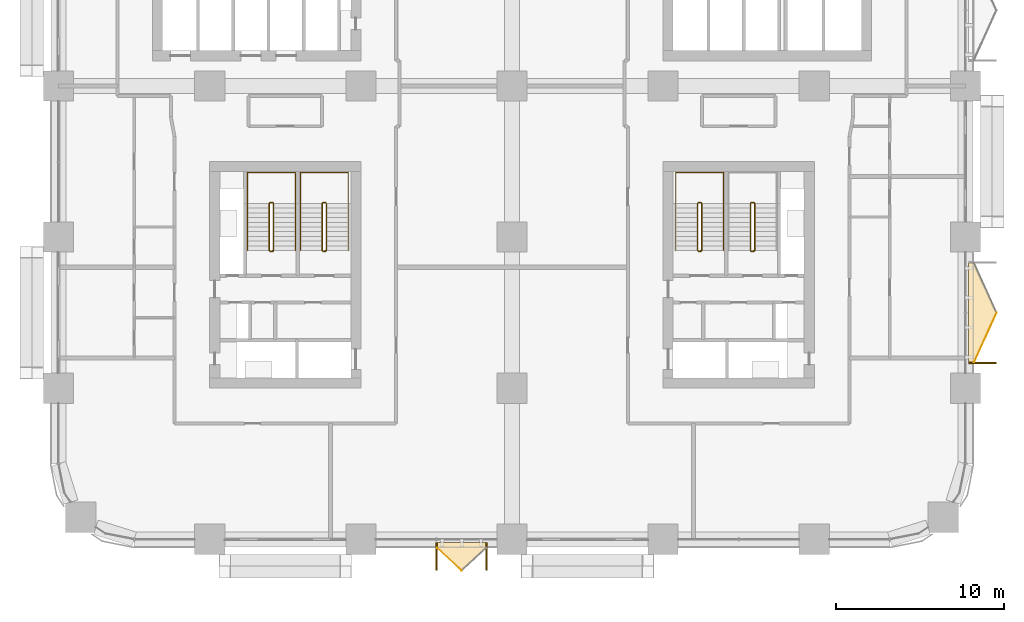
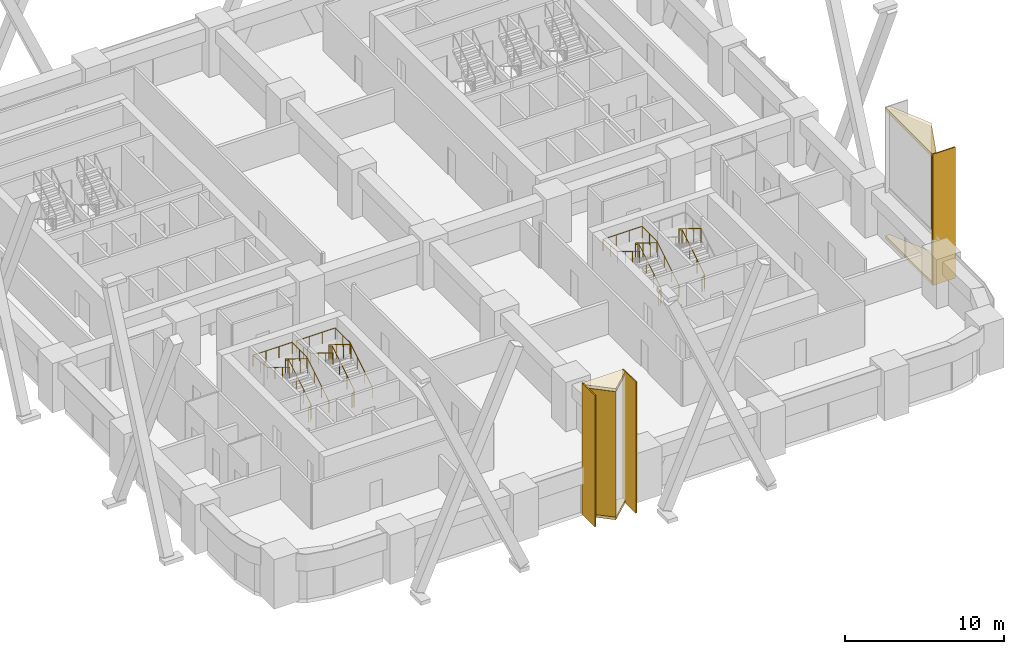
# One storey, part 22 of 24: 9 coverings, 7 railings.
"""IFC4 building model written with IfcOpenShell, lengths in metres."""

import ifcopenshell
import ifcopenshell.guid

model = None  # the IFC model being written
_history = None  # IfcOwnerHistory: only IFC2X3 demands one
_inside = {}  # id of a spatial element -> (the spatial element, [elements in it])
_under = {}  # id of a project, library or spatial element -> (it, [spatial elements below it])
_declared = {}  # id of a project -> (the project, [libraries it declares])
_typed = {}  # id of a type object -> (the type object, [elements of that type])
_made_of = {}  # id of a material, layer set ... -> (it, [elements and type objects made of it])


def new_model(schema):
    """Start an empty IFC model of exactly this schema.

    Asked for "IFC4X3", IfcOpenShell would pick the latest addendum, in which some entities
    have other attributes; the version numbers below select the first issue.
    IFC2X3 requires an IfcOwnerHistory on every rooted entity: one is made here for all.
    """
    global model, _history
    if schema == "IFC4X3":
        model = ifcopenshell.file(schema_version=(4, 3, 0, 0))
    else:
        model = ifcopenshell.file(schema=schema)
    _inside.clear()
    _under.clear()
    _declared.clear()
    _typed.clear()
    _made_of.clear()
    _history = None
    if model.schema == "IFC2X3":
        org = make("IfcOrganization", Name="unknown")
        user = make(
            "IfcPersonAndOrganization",
            ThePerson=make("IfcPerson", FamilyName="unknown"),
            TheOrganization=org,
        )
        app = make(
            "IfcApplication",
            ApplicationDeveloper=org,
            Version="unknown",
            ApplicationFullName="unknown",
            ApplicationIdentifier="unknown",
        )
        _history = make(
            "IfcOwnerHistory",
            OwningUser=user,
            OwningApplication=app,
            ChangeAction="ADDED",
            CreationDate=0,
        )
    return model


def make(cls, **values):
    """One entity of the class cls with the attributes given. An attribute that is None is left unset."""
    return model.create_entity(
        cls, **{name: value for name, value in values.items() if value is not None}
    )


def rooted(cls, **values):
    """An entity with a GlobalId (a new one), such as an element, a storey or a relation."""
    return make(cls, GlobalId=ifcopenshell.guid.new(), OwnerHistory=_history, **values)


def si_unit(unit_type, name, prefix=None):
    """IfcSIUnit, for example si_unit("LENGTHUNIT", "METRE", prefix="MILLI")."""
    return make("IfcSIUnit", UnitType=unit_type, Prefix=prefix, Name=name)


def assignment(units):
    """IfcUnitAssignment: the units of a project."""
    return None if units is None else make("IfcUnitAssignment", Units=units)


def point(xyz):
    """IfcCartesianPoint."""
    return None if xyz is None else make("IfcCartesianPoint", Coordinates=xyz)


def direction(xyz):
    """IfcDirection."""
    return None if xyz is None else make("IfcDirection", DirectionRatios=xyz)


def frame(location, z_axis=None, x_axis=None):
    """IfcAxis2Placement3D, a coordinate frame: its origin and axes. An axis left out is left unset."""
    return make(
        "IfcAxis2Placement3D",
        Location=point(location),
        Axis=direction(z_axis),
        RefDirection=direction(x_axis),
    )


def frame_2d(location, x_axis=None):
    """IfcAxis2Placement2D, a coordinate frame in the plane: its origin and x axis."""
    return make(
        "IfcAxis2Placement2D", Location=point(location), RefDirection=direction(x_axis)
    )


def origin():
    """The frame at (0, 0, 0) with its axes left unset."""
    return frame((0.0, 0.0, 0.0))


def origin_2d():
    """The frame at (0, 0) in the plane with its x axis left unset."""
    return frame_2d((0.0, 0.0))


def place(relative_to, where):
    """IfcLocalPlacement: puts the frame where relative to a parent placement (None: the world)."""
    return make(
        "IfcLocalPlacement", PlacementRelTo=relative_to, RelativePlacement=where
    )


def context(
    kind, dimensions, precision=None, world=None, true_north=None, identifier=None
):
    """IfcGeometricRepresentationContext, for example the 3D "Model" context."""
    return make(
        "IfcGeometricRepresentationContext",
        ContextIdentifier=identifier,
        ContextType=kind,
        CoordinateSpaceDimension=dimensions,
        Precision=precision,
        WorldCoordinateSystem=world,
        TrueNorth=true_north,
    )


def subcontext(parent, identifier, kind, view, scale=None):
    """IfcGeometricRepresentationSubContext, for example "Body" below "Model"."""
    return make(
        "IfcGeometricRepresentationSubContext",
        ContextIdentifier=identifier,
        ContextType=kind,
        ParentContext=parent,
        TargetScale=scale,
        TargetView=view,
    )


def project(units=None, contexts=None):
    """IfcProject with its units and contexts."""
    return rooted(
        "IfcProject",
        Name="project",
        RepresentationContexts=contexts,
        UnitsInContext=assignment(units),
    )


def spatial(cls, under=None, at=None, **own):
    """A site, building, storey or space (cls), placed at a placement, below another one or the project."""
    s = rooted(cls, ObjectPlacement=at, **own)
    if under is not None:
        _under.setdefault(under.id(), (under, []))[1].append(s)
    return s


def polyline(points):
    """IfcPolyline through the points."""
    return make("IfcPolyline", Points=[point(p) for p in points])


def profile(cls, at=None, kind="AREA", **sizes):
    """A parametric profile (cls). Its sizes go by their IFC names, for example OverallWidth=200.0."""
    return make(cls, ProfileType=kind, Position=at, **sizes)


def rectangle(**sizes):
    """IfcRectangleProfileDef."""
    return profile("IfcRectangleProfileDef", **sizes)


def circle(**sizes):
    """IfcCircleProfileDef."""
    return profile("IfcCircleProfileDef", **sizes)


def outline(outer, holes=None, kind="AREA"):
    """IfcArbitraryClosedProfileDef: a profile drawn as a closed curve; with holes, ...WithVoids."""
    if holes is None:
        return make("IfcArbitraryClosedProfileDef", ProfileType=kind, OuterCurve=outer)
    return make(
        "IfcArbitraryProfileDefWithVoids",
        ProfileType=kind,
        OuterCurve=outer,
        InnerCurves=holes,
    )


def extrude(swept, where, along, depth):
    """IfcExtrudedAreaSolid: the profile swept, set in the frame where, extruded along a direction by depth."""
    return make(
        "IfcExtrudedAreaSolid",
        SweptArea=swept,
        Position=where,
        ExtrudedDirection=direction(along),
        Depth=depth,
    )


def shape(context_of_items, identifier, shape_type, items):
    """IfcShapeRepresentation: the items that make up one representation, for example the "Body"."""
    return make(
        "IfcShapeRepresentation",
        ContextOfItems=context_of_items,
        RepresentationIdentifier=identifier,
        RepresentationType=shape_type,
        Items=items,
    )


def material(Name=None, Category=None):
    """IfcMaterial."""
    return make("IfcMaterial", Name=Name, Category=Category)


def layer(
    of_material, thickness, ventilated=None, Name=None, Category=None, Priority=None
):
    """IfcMaterialLayer: one layer of a wall or slab, of a material (None: an air gap)."""
    return make(
        "IfcMaterialLayer",
        Material=of_material,
        LayerThickness=thickness,
        IsVentilated=ventilated,
        Name=Name,
        Category=Category,
        Priority=Priority,
    )


def layer_set(layers, Name=None):
    """IfcMaterialLayerSet."""
    return make("IfcMaterialLayerSet", MaterialLayers=layers, LayerSetName=Name)


def made_of(thing, what):
    """Note that an element or type object is made of a material, layer set ...; save() writes the relation."""
    if what is not None:
        _made_of.setdefault(what.id(), (what, []))[1].append(thing)
    return thing


def type_object(cls, material=None, **own):
    """A type object (cls), such as IfcWallType, which elements share."""
    return made_of(rooted(cls, **own), material)


def element(
    cls,
    number,
    at=None,
    inside=None,
    cuts=None,
    type_object=None,
    material=None,
    context=None,
    identifier="Body",
    shape_type=None,
    held_by="IfcProductDefinitionShape",
    body=None,
    shapes=None,
    **own,
):
    """One element of the class cls, such as IfcWall. Its Tag is "e" and its number.

    at: its placement. inside: the storey or other place that contains it. cuts: it is an
    opening in that element (IfcRelVoidsElement). A single representation is given by context,
    identifier, shape_type and body (its items); several are given by shapes. held_by: the class
    of the entity that holds the representations. save() writes the other relations.
    """
    e = rooted(cls, Tag="e%d" % number, ObjectPlacement=at, **own)
    if body is not None:
        shapes = [shape(context, identifier, shape_type, body)]
    if shapes is not None:
        e.Representation = make(held_by, Representations=shapes)
    if inside is not None:
        _inside.setdefault(inside.id(), (inside, []))[1].append(e)
    if cuts is not None:
        rooted(
            "IfcRelVoidsElement", RelatingBuildingElement=cuts, RelatedOpeningElement=e
        )
    if type_object is not None:
        _typed.setdefault(type_object.id(), (type_object, []))[1].append(e)
    return made_of(e, material)


def aggregate(whole, parts):
    """IfcRelAggregates: a whole, such as a stair, and the parts it consists of."""
    return rooted("IfcRelAggregates", RelatingObject=whole, RelatedObjects=parts)


def save(model, path):
    """Write the relations noted so far, then the file.

    IfcRelAggregates (storeys below a building ...), IfcRelContainedInSpatialStructure (elements
    in a storey), IfcRelDefinesByType, IfcRelAssociatesMaterial and IfcRelDeclares: one each for
    every whole, place, type object, material and project.
    """
    for whole, parts in _under.values():
        aggregate(whole, parts)
    for where, things in _inside.values():
        rooted(
            "IfcRelContainedInSpatialStructure",
            RelatedElements=things,
            RelatingStructure=where,
        )
    for kind, things in _typed.values():
        rooted("IfcRelDefinesByType", RelatedObjects=things, RelatingType=kind)
    for what, things in _made_of.values():
        rooted("IfcRelAssociatesMaterial", RelatedObjects=things, RelatingMaterial=what)
    for by, libraries in _declared.values():
        rooted("IfcRelDeclares", RelatingContext=by, RelatedDefinitions=libraries)
    model.write(path)


model = new_model("IFC4")

# Units and contexts
model_context = context("Model", 3, precision=1e-05, world=origin(), true_north=direction((0.0, 1.0)))
body_context = subcontext(model_context, "Body", "Model", "MODEL_VIEW")
ifc_project = project(units=[si_unit("LENGTHUNIT", "METRE"), si_unit("AREAUNIT", "SQUARE_METRE"), si_unit("VOLUMEUNIT", "CUBIC_METRE"), si_unit("PLANEANGLEUNIT", "RADIAN"), si_unit("MASSUNIT", "GRAM", prefix="KILO")], contexts=[model_context])

# Site, building, storey
site_placement = place(None, origin())
site = spatial("IfcSite", under=ifc_project, at=site_placement, CompositionType="ELEMENT")
building_placement = place(site_placement, origin())
building = spatial("IfcBuilding", under=site, at=building_placement, Name="Tessera Arch", CompositionType="ELEMENT")
storey_placement = place(building_placement, frame((0.0, 0.0, 61.39990234375)))
storey = spatial("IfcBuildingStorey", under=building, at=storey_placement, Name="L13", CompositionType="ELEMENT", Elevation=61.39990234375)

# Railings
ifc_material_1 = material(Name="Painted steel balustrade", Category="steel")
railing_type_1 = type_object("IfcRailingType", Name="Stair guard 1100", PredefinedType="GUARDRAIL", material=ifc_material_1)
railing_1_placement = place(storey_placement, frame((38.25, 17.14990234375, 0.0)))
element("IfcRailing", 1, at=railing_1_placement, inside=storey, type_object=railing_type_1, Name="L13 S3a stair guard 1", PredefinedType="GUARDRAIL", context=body_context, shape_type="SweptSolid", body=[
    extrude(circle(Radius=0.02392578125, at=origin_2d()), frame((0.00390625, 0.0, 1.076171875), z_axis=(-1.0, 0.0, 0.0), x_axis=(0.0, -1.0, 0.0)), (0.0, 0.0, 1.0), 0.157958984375),
    extrude(circle(Radius=0.02392578125, at=origin_2d()), frame((-0.15283203125, -0.000732421875, 1.073486328125), z_axis=(0.743302536996, 0.186052527575, 0.642561900114), x_axis=(-0.242814311512, 0.970072785993, 0.0)), (0.0, 0.0, 1.0), 0.277099609375),
    extrude(circle(Radius=0.02392578125, at=origin_2d()), frame((0.050048828125, 0.046630859375, 1.246826171875), z_axis=(0.0, 0.851089632645, 0.525020415988), x_axis=(-1.0, 0.0, 0.0)), (0.0, 0.0, 1.0), 3.2978515625),
    extrude(circle(Radius=0.02392578125, at=origin_2d()), frame((0.052978515625, 2.84716796875, 2.97607421875), z_axis=(-0.707106781187, 0.707106781187, 0.0), x_axis=(-0.707106781187, -0.707106781187, 0.0)), (0.0, 0.0, 1.0), 0.078857421875),
    extrude(circle(Radius=0.02392578125, at=origin_2d()), frame((0.00390625, 2.900146484375, 2.97607421875), z_axis=(-1.0, 0.0, 0.0), x_axis=(0.0, -1.0, 0.0)), (0.0, 0.0, 1.0), 0.157958984375),
    extrude(circle(Radius=0.02392578125, at=origin_2d()), frame((-0.14892578125, 2.901123046875, 2.972412109375), z_axis=(-0.268277960024, -0.268277960024, 0.925231793839), x_axis=(0.707106781187, -0.707106781187, 0.0)), (0.0, 0.0, 1.0), 0.194580078125),
    extrude(circle(Radius=0.02392578125, at=origin_2d()), frame((-0.199951171875, 2.853515625, 3.146728515625), z_axis=(0.0, -0.851089632645, 0.525020415988), x_axis=(1.0, 0.0, 0.0)), (0.0, 0.0, 1.0), 3.2978515625),
    extrude(circle(Radius=0.02099609375, at=origin_2d()), origin(), (0.0, 0.0, 1.0), 1.06396484375),
    extrude(circle(Radius=0.02099609375, at=origin_2d()), frame((-0.14990234375, 0.0, 0.0)), (0.0, 0.0, 1.0), 1.06396484375),
    extrude(circle(Radius=0.02099609375, at=origin_2d()), frame((0.050048828125, 0.050048828125, 0.1728515625)), (0.0, 0.0, 1.0), 1.06396484375),
    extrude(circle(Radius=0.02099609375, at=origin_2d()), frame((0.050048828125, 0.9833984375, 0.74853515625)), (0.0, 0.0, 1.0), 1.06396484375),
    extrude(circle(Radius=0.02099609375, at=origin_2d()), frame((0.050048828125, 1.916748046875, 1.324462890625)), (0.0, 0.0, 1.0), 1.06396484375),
    extrude(circle(Radius=0.02099609375, at=origin_2d()), frame((0.050048828125, 2.85009765625, 1.900146484375)), (0.0, 0.0, 1.0), 1.06396484375),
    extrude(circle(Radius=0.02099609375, at=origin_2d()), frame((0.0, 2.900146484375, 1.900146484375)), (0.0, 0.0, 1.0), 1.06396484375),
    extrude(circle(Radius=0.02099609375, at=origin_2d()), frame((-0.14990234375, 2.900146484375, 1.900146484375)), (0.0, 0.0, 1.0), 1.06396484375),
    extrude(circle(Radius=0.02099609375, at=origin_2d()), frame((-0.199951171875, 2.85009765625, 2.07275390625)), (0.0, 0.0, 1.0), 1.06396484375),
    extrude(circle(Radius=0.02099609375, at=origin_2d()), frame((-0.199951171875, 1.916748046875, 2.6484375)), (0.0, 0.0, 1.0), 1.06396484375),
    extrude(circle(Radius=0.02099609375, at=origin_2d()), frame((-0.199951171875, 0.9833984375, 3.224365234375)), (0.0, 0.0, 1.0), 1.06396484375),
    extrude(circle(Radius=0.02099609375, at=origin_2d()), frame((-0.199951171875, 0.050048828125, 3.800048828125)), (0.0, 0.0, 1.0), 1.06396484375),
])
railing_2_placement = place(storey_placement, frame((41.39990234375, 17.14990234375, 0.0)))
element("IfcRailing", 2, at=railing_2_placement, inside=storey, type_object=railing_type_1, Name="L13 S3b stair guard 1", PredefinedType="GUARDRAIL", context=body_context, shape_type="SweptSolid", body=[
    extrude(circle(Radius=0.02392578125, at=origin_2d()), frame((0.00390625, 0.0, 1.076171875), z_axis=(-1.0, 0.0, 0.0), x_axis=(0.0, -1.0, 0.0)), (0.0, 0.0, 1.0), 0.157958984375),
    extrude(circle(Radius=0.02392578125, at=origin_2d()), frame((-0.15283203125, -0.000732421875, 1.073486328125), z_axis=(0.743302536996, 0.186052527575, 0.642561900114), x_axis=(-0.242814311512, 0.970072785993, 0.0)), (0.0, 0.0, 1.0), 0.277099609375),
    extrude(circle(Radius=0.02392578125, at=origin_2d()), frame((0.050048828125, 0.046630859375, 1.246826171875), z_axis=(0.0, 0.851089632645, 0.525020415988), x_axis=(-1.0, 0.0, 0.0)), (0.0, 0.0, 1.0), 3.2978515625),
    extrude(circle(Radius=0.02392578125, at=origin_2d()), frame((0.052978515625, 2.84716796875, 2.97607421875), z_axis=(-0.707106781187, 0.707106781187, 0.0), x_axis=(-0.707106781187, -0.707106781187, 0.0)), (0.0, 0.0, 1.0), 0.078857421875),
    extrude(circle(Radius=0.02392578125, at=origin_2d()), frame((0.00390625, 2.900146484375, 2.97607421875), z_axis=(-1.0, 0.0, 0.0), x_axis=(0.0, -1.0, 0.0)), (0.0, 0.0, 1.0), 0.157958984375),
    extrude(circle(Radius=0.02392578125, at=origin_2d()), frame((-0.14892578125, 2.901123046875, 2.972412109375), z_axis=(-0.268277960024, -0.268277960024, 0.925231793839), x_axis=(0.707106781187, -0.707106781187, 0.0)), (0.0, 0.0, 1.0), 0.194580078125),
    extrude(circle(Radius=0.02392578125, at=origin_2d()), frame((-0.199951171875, 2.853515625, 3.146728515625), z_axis=(0.0, -0.851089632645, 0.525020415988), x_axis=(1.0, 0.0, 0.0)), (0.0, 0.0, 1.0), 3.2978515625),
    extrude(circle(Radius=0.02099609375, at=origin_2d()), origin(), (0.0, 0.0, 1.0), 1.06396484375),
    extrude(circle(Radius=0.02099609375, at=origin_2d()), frame((-0.14990234375, 0.0, 0.0)), (0.0, 0.0, 1.0), 1.06396484375),
    extrude(circle(Radius=0.02099609375, at=origin_2d()), frame((0.050048828125, 0.050048828125, 0.1728515625)), (0.0, 0.0, 1.0), 1.06396484375),
    extrude(circle(Radius=0.02099609375, at=origin_2d()), frame((0.050048828125, 0.9833984375, 0.74853515625)), (0.0, 0.0, 1.0), 1.06396484375),
    extrude(circle(Radius=0.02099609375, at=origin_2d()), frame((0.050048828125, 1.916748046875, 1.324462890625)), (0.0, 0.0, 1.0), 1.06396484375),
    extrude(circle(Radius=0.02099609375, at=origin_2d()), frame((0.050048828125, 2.85009765625, 1.900146484375)), (0.0, 0.0, 1.0), 1.06396484375),
    extrude(circle(Radius=0.02099609375, at=origin_2d()), frame((0.0, 2.900146484375, 1.900146484375)), (0.0, 0.0, 1.0), 1.06396484375),
    extrude(circle(Radius=0.02099609375, at=origin_2d()), frame((-0.14990234375, 2.900146484375, 1.900146484375)), (0.0, 0.0, 1.0), 1.06396484375),
    extrude(circle(Radius=0.02099609375, at=origin_2d()), frame((-0.199951171875, 2.85009765625, 2.07275390625)), (0.0, 0.0, 1.0), 1.06396484375),
    extrude(circle(Radius=0.02099609375, at=origin_2d()), frame((-0.199951171875, 1.916748046875, 2.6484375)), (0.0, 0.0, 1.0), 1.06396484375),
    extrude(circle(Radius=0.02099609375, at=origin_2d()), frame((-0.199951171875, 0.9833984375, 3.224365234375)), (0.0, 0.0, 1.0), 1.06396484375),
    extrude(circle(Radius=0.02099609375, at=origin_2d()), frame((-0.199951171875, 0.050048828125, 3.800048828125)), (0.0, 0.0, 1.0), 1.06396484375),
])
railing_3_placement = place(storey_placement, frame((15.89990234375, 17.14990234375, 0.0)))
element("IfcRailing", 3, at=railing_3_placement, inside=storey, type_object=railing_type_1, Name="L13 S4a stair guard 1", PredefinedType="GUARDRAIL", context=body_context, shape_type="SweptSolid", body=[
    extrude(circle(Radius=0.02392578125, at=origin_2d()), frame((0.00390625, 0.0, 1.076171875), z_axis=(-1.0, 0.0, 0.0), x_axis=(0.0, -1.0, 0.0)), (0.0, 0.0, 1.0), 0.157958984375),
    extrude(circle(Radius=0.02392578125, at=origin_2d()), frame((-0.15283203125, -0.000732421875, 1.073486328125), z_axis=(0.743302536996, 0.186052527575, 0.642561900114), x_axis=(-0.242814311512, 0.970072785993, 0.0)), (0.0, 0.0, 1.0), 0.277099609375),
    extrude(circle(Radius=0.02392578125, at=origin_2d()), frame((0.050048828125, 0.046630859375, 1.246826171875), z_axis=(0.0, 0.851089632645, 0.525020415988), x_axis=(-1.0, 0.0, 0.0)), (0.0, 0.0, 1.0), 3.2978515625),
    extrude(circle(Radius=0.02392578125, at=origin_2d()), frame((0.052978515625, 2.84716796875, 2.97607421875), z_axis=(-0.707106781187, 0.707106781187, 0.0), x_axis=(-0.707106781187, -0.707106781187, 0.0)), (0.0, 0.0, 1.0), 0.078857421875),
    extrude(circle(Radius=0.02392578125, at=origin_2d()), frame((0.00390625, 2.900146484375, 2.97607421875), z_axis=(-1.0, 0.0, 0.0), x_axis=(0.0, -1.0, 0.0)), (0.0, 0.0, 1.0), 0.157958984375),
    extrude(circle(Radius=0.02392578125, at=origin_2d()), frame((-0.14892578125, 2.901123046875, 2.972412109375), z_axis=(-0.268277960024, -0.268277960024, 0.925231793839), x_axis=(0.707106781187, -0.707106781187, 0.0)), (0.0, 0.0, 1.0), 0.194580078125),
    extrude(circle(Radius=0.02392578125, at=origin_2d()), frame((-0.199951171875, 2.853515625, 3.146728515625), z_axis=(0.0, -0.851089632645, 0.525020415988), x_axis=(1.0, 0.0, 0.0)), (0.0, 0.0, 1.0), 3.2978515625),
    extrude(circle(Radius=0.02099609375, at=origin_2d()), origin(), (0.0, 0.0, 1.0), 1.06396484375),
    extrude(circle(Radius=0.02099609375, at=origin_2d()), frame((-0.14990234375, 0.0, 0.0)), (0.0, 0.0, 1.0), 1.06396484375),
    extrude(circle(Radius=0.02099609375, at=origin_2d()), frame((0.050048828125, 0.050048828125, 0.1728515625)), (0.0, 0.0, 1.0), 1.06396484375),
    extrude(circle(Radius=0.02099609375, at=origin_2d()), frame((0.050048828125, 0.9833984375, 0.74853515625)), (0.0, 0.0, 1.0), 1.06396484375),
    extrude(circle(Radius=0.02099609375, at=origin_2d()), frame((0.050048828125, 1.916748046875, 1.324462890625)), (0.0, 0.0, 1.0), 1.06396484375),
    extrude(circle(Radius=0.02099609375, at=origin_2d()), frame((0.050048828125, 2.85009765625, 1.900146484375)), (0.0, 0.0, 1.0), 1.06396484375),
    extrude(circle(Radius=0.02099609375, at=origin_2d()), frame((0.0, 2.900146484375, 1.900146484375)), (0.0, 0.0, 1.0), 1.06396484375),
    extrude(circle(Radius=0.02099609375, at=origin_2d()), frame((-0.14990234375, 2.900146484375, 1.900146484375)), (0.0, 0.0, 1.0), 1.06396484375),
    extrude(circle(Radius=0.02099609375, at=origin_2d()), frame((-0.199951171875, 2.85009765625, 2.07275390625)), (0.0, 0.0, 1.0), 1.06396484375),
    extrude(circle(Radius=0.02099609375, at=origin_2d()), frame((-0.199951171875, 1.916748046875, 2.6484375)), (0.0, 0.0, 1.0), 1.06396484375),
    extrude(circle(Radius=0.02099609375, at=origin_2d()), frame((-0.199951171875, 0.9833984375, 3.224365234375)), (0.0, 0.0, 1.0), 1.06396484375),
    extrude(circle(Radius=0.02099609375, at=origin_2d()), frame((-0.199951171875, 0.050048828125, 3.800048828125)), (0.0, 0.0, 1.0), 1.06396484375),
])
railing_4_placement = place(storey_placement, frame((12.75, 17.14990234375, 0.0)))
element("IfcRailing", 4, at=railing_4_placement, inside=storey, type_object=railing_type_1, Name="L13 S4b stair guard 1", PredefinedType="GUARDRAIL", context=body_context, shape_type="SweptSolid", body=[
    extrude(circle(Radius=0.02392578125, at=origin_2d()), frame((0.00390625, 0.0, 1.076171875), z_axis=(-1.0, 0.0, 0.0), x_axis=(0.0, -1.0, 0.0)), (0.0, 0.0, 1.0), 0.157958984375),
    extrude(circle(Radius=0.02392578125, at=origin_2d()), frame((-0.15283203125, -0.000732421875, 1.073486328125), z_axis=(0.743302536996, 0.186052527575, 0.642561900114), x_axis=(-0.242814311512, 0.970072785993, 0.0)), (0.0, 0.0, 1.0), 0.277099609375),
    extrude(circle(Radius=0.02392578125, at=origin_2d()), frame((0.050048828125, 0.046630859375, 1.246826171875), z_axis=(0.0, 0.851089632645, 0.525020415988), x_axis=(-1.0, 0.0, 0.0)), (0.0, 0.0, 1.0), 3.2978515625),
    extrude(circle(Radius=0.02392578125, at=origin_2d()), frame((0.052978515625, 2.84716796875, 2.97607421875), z_axis=(-0.707106781187, 0.707106781187, 0.0), x_axis=(-0.707106781187, -0.707106781187, 0.0)), (0.0, 0.0, 1.0), 0.078857421875),
    extrude(circle(Radius=0.02392578125, at=origin_2d()), frame((0.00390625, 2.900146484375, 2.97607421875), z_axis=(-1.0, 0.0, 0.0), x_axis=(0.0, -1.0, 0.0)), (0.0, 0.0, 1.0), 0.157958984375),
    extrude(circle(Radius=0.02392578125, at=origin_2d()), frame((-0.14892578125, 2.901123046875, 2.972412109375), z_axis=(-0.268277960024, -0.268277960024, 0.925231793839), x_axis=(0.707106781187, -0.707106781187, 0.0)), (0.0, 0.0, 1.0), 0.194580078125),
    extrude(circle(Radius=0.02392578125, at=origin_2d()), frame((-0.199951171875, 2.853515625, 3.146728515625), z_axis=(0.0, -0.851089632645, 0.525020415988), x_axis=(1.0, 0.0, 0.0)), (0.0, 0.0, 1.0), 3.2978515625),
    extrude(circle(Radius=0.02099609375, at=origin_2d()), origin(), (0.0, 0.0, 1.0), 1.06396484375),
    extrude(circle(Radius=0.02099609375, at=origin_2d()), frame((-0.14990234375, 0.0, 0.0)), (0.0, 0.0, 1.0), 1.06396484375),
    extrude(circle(Radius=0.02099609375, at=origin_2d()), frame((0.050048828125, 0.050048828125, 0.1728515625)), (0.0, 0.0, 1.0), 1.06396484375),
    extrude(circle(Radius=0.02099609375, at=origin_2d()), frame((0.050048828125, 0.9833984375, 0.74853515625)), (0.0, 0.0, 1.0), 1.06396484375),
    extrude(circle(Radius=0.02099609375, at=origin_2d()), frame((0.050048828125, 1.916748046875, 1.324462890625)), (0.0, 0.0, 1.0), 1.06396484375),
    extrude(circle(Radius=0.02099609375, at=origin_2d()), frame((0.050048828125, 2.85009765625, 1.900146484375)), (0.0, 0.0, 1.0), 1.06396484375),
    extrude(circle(Radius=0.02099609375, at=origin_2d()), frame((0.0, 2.900146484375, 1.900146484375)), (0.0, 0.0, 1.0), 1.06396484375),
    extrude(circle(Radius=0.02099609375, at=origin_2d()), frame((-0.14990234375, 2.900146484375, 1.900146484375)), (0.0, 0.0, 1.0), 1.06396484375),
    extrude(circle(Radius=0.02099609375, at=origin_2d()), frame((-0.199951171875, 2.85009765625, 2.07275390625)), (0.0, 0.0, 1.0), 1.06396484375),
    extrude(circle(Radius=0.02099609375, at=origin_2d()), frame((-0.199951171875, 1.916748046875, 2.6484375)), (0.0, 0.0, 1.0), 1.06396484375),
    extrude(circle(Radius=0.02099609375, at=origin_2d()), frame((-0.199951171875, 0.9833984375, 3.224365234375)), (0.0, 0.0, 1.0), 1.06396484375),
    extrude(circle(Radius=0.02099609375, at=origin_2d()), frame((-0.199951171875, 0.050048828125, 3.800048828125)), (0.0, 0.0, 1.0), 1.06396484375),
])
ifc_material_2 = material(Name="Painted steel handrail", Category="steel")
railing_type_2 = type_object("IfcRailingType", Name="Stair handrail 900", PredefinedType="HANDRAIL", material=ifc_material_2)
railing_5_placement = place(storey_placement, frame((39.60009765625, 17.199951171875, 0.1728515625)))
element("IfcRailing", 5, at=railing_5_placement, inside=storey, type_object=railing_type_2, Name="L13 S3a stair handrail", PredefinedType="HANDRAIL", context=body_context, shape_type="SweptSolid", body=[
    extrude(circle(Radius=0.02392578125, at=origin_2d()), frame((0.0, -0.00341796875, 0.873779296875), z_axis=(0.0, 0.851089632645, 0.525020415988), x_axis=(-1.0, 0.0, 0.0)), (0.0, 0.0, 1.0), 3.2978515625),
    extrude(circle(Radius=0.02392578125, at=origin_2d()), frame((0.0, 2.796142578125, 2.60302734375), z_axis=(0.0, 1.0, 0.0), x_axis=(-1.0, 0.0, 0.0)), (0.0, 0.0, 1.0), 1.858154296875),
    extrude(circle(Radius=0.02392578125, at=origin_2d()), frame((0.00390625, 4.650146484375, 2.60302734375), z_axis=(-1.0, 0.0, 0.0), x_axis=(0.0, -1.0, 0.0)), (0.0, 0.0, 1.0), 2.858154296875),
    extrude(circle(Radius=0.02392578125, at=origin_2d()), frame((-2.85009765625, 4.654052734375, 2.602783203125), z_axis=(0.0, -0.995676099079, 0.092892979948), x_axis=(1.0, 0.0, 0.0)), (0.0, 0.0, 1.0), 1.8662109375),
    extrude(circle(Radius=0.02392578125, at=origin_2d()), frame((-2.85009765625, 2.803466796875, 2.773681640625), z_axis=(0.0, -0.851089632645, 0.525020415988), x_axis=(1.0, 0.0, 0.0)), (0.0, 0.0, 1.0), 3.2978515625),
    extrude(circle(Radius=0.02099609375, at=origin_2d()), origin(), (0.0, 0.0, 1.0), 0.86376953125),
    extrude(circle(Radius=0.02099609375, at=origin_2d()), frame((0.0, 0.933349609375, 0.57568359375)), (0.0, 0.0, 1.0), 0.86376953125),
    extrude(circle(Radius=0.02099609375, at=origin_2d()), frame((0.0, 1.86669921875, 1.151611328125)), (0.0, 0.0, 1.0), 0.86376953125),
    extrude(circle(Radius=0.02099609375, at=origin_2d()), frame((0.0, 2.800048828125, 1.727294921875)), (0.0, 0.0, 1.0), 0.86376953125),
    extrude(circle(Radius=0.02099609375, at=origin_2d()), frame((0.0, 3.72509765625, 1.727294921875)), (0.0, 0.0, 1.0), 0.86376953125),
    extrude(circle(Radius=0.02099609375, at=origin_2d()), frame((0.0, 4.650146484375, 1.727294921875)), (0.0, 0.0, 1.0), 0.86376953125),
    extrude(circle(Radius=0.02099609375, at=origin_2d()), frame((-0.949951171875, 4.650146484375, 1.727294921875)), (0.0, 0.0, 1.0), 0.86376953125),
    extrude(circle(Radius=0.02099609375, at=origin_2d()), frame((-1.900146484375, 4.650146484375, 1.727294921875)), (0.0, 0.0, 1.0), 0.86376953125),
    extrude(circle(Radius=0.02099609375, at=origin_2d()), frame((-2.85009765625, 4.650146484375, 1.727294921875)), (0.0, 0.0, 1.0), 0.86376953125),
    extrude(circle(Radius=0.02099609375, at=origin_2d()), frame((-2.85009765625, 3.72509765625, 1.8134765625)), (0.0, 0.0, 1.0), 0.86376953125),
    extrude(circle(Radius=0.02099609375, at=origin_2d()), frame((-2.85009765625, 2.800048828125, 1.89990234375)), (0.0, 0.0, 1.0), 0.86376953125),
    extrude(circle(Radius=0.02099609375, at=origin_2d()), frame((-2.85009765625, 1.86669921875, 2.4755859375)), (0.0, 0.0, 1.0), 0.86376953125),
    extrude(circle(Radius=0.02099609375, at=origin_2d()), frame((-2.85009765625, 0.933349609375, 3.051513671875)), (0.0, 0.0, 1.0), 0.86376953125),
    extrude(circle(Radius=0.02099609375, at=origin_2d()), frame((-2.85009765625, 0.0, 3.627197265625)), (0.0, 0.0, 1.0), 0.86376953125),
])
railing_6_placement = place(storey_placement, frame((17.25, 17.199951171875, 0.1728515625)))
element("IfcRailing", 6, at=railing_6_placement, inside=storey, type_object=railing_type_2, Name="L13 S4a stair handrail", PredefinedType="HANDRAIL", context=body_context, shape_type="SweptSolid", body=[
    extrude(circle(Radius=0.02392578125, at=origin_2d()), frame((0.0, -0.00341796875, 0.873779296875), z_axis=(0.0, 0.851089632645, 0.525020415988), x_axis=(-1.0, 0.0, 0.0)), (0.0, 0.0, 1.0), 3.2978515625),
    extrude(circle(Radius=0.02392578125, at=origin_2d()), frame((0.0, 2.796142578125, 2.60302734375), z_axis=(0.0, 1.0, 0.0), x_axis=(-1.0, 0.0, 0.0)), (0.0, 0.0, 1.0), 1.858154296875),
    extrude(circle(Radius=0.02392578125, at=origin_2d()), frame((0.00390625, 4.650146484375, 2.60302734375), z_axis=(-1.0, 0.0, 0.0), x_axis=(0.0, -1.0, 0.0)), (0.0, 0.0, 1.0), 2.858154296875),
    extrude(circle(Radius=0.02392578125, at=origin_2d()), frame((-2.85009765625, 4.654052734375, 2.602783203125), z_axis=(0.0, -0.995676099079, 0.092892979948), x_axis=(1.0, 0.0, 0.0)), (0.0, 0.0, 1.0), 1.8662109375),
    extrude(circle(Radius=0.02392578125, at=origin_2d()), frame((-2.85009765625, 2.803466796875, 2.773681640625), z_axis=(0.0, -0.851089632645, 0.525020415988), x_axis=(1.0, 0.0, 0.0)), (0.0, 0.0, 1.0), 3.2978515625),
    extrude(circle(Radius=0.02099609375, at=origin_2d()), origin(), (0.0, 0.0, 1.0), 0.86376953125),
    extrude(circle(Radius=0.02099609375, at=origin_2d()), frame((0.0, 0.933349609375, 0.57568359375)), (0.0, 0.0, 1.0), 0.86376953125),
    extrude(circle(Radius=0.02099609375, at=origin_2d()), frame((0.0, 1.86669921875, 1.151611328125)), (0.0, 0.0, 1.0), 0.86376953125),
    extrude(circle(Radius=0.02099609375, at=origin_2d()), frame((0.0, 2.800048828125, 1.727294921875)), (0.0, 0.0, 1.0), 0.86376953125),
    extrude(circle(Radius=0.02099609375, at=origin_2d()), frame((0.0, 3.72509765625, 1.727294921875)), (0.0, 0.0, 1.0), 0.86376953125),
    extrude(circle(Radius=0.02099609375, at=origin_2d()), frame((0.0, 4.650146484375, 1.727294921875)), (0.0, 0.0, 1.0), 0.86376953125),
    extrude(circle(Radius=0.02099609375, at=origin_2d()), frame((-0.949951171875, 4.650146484375, 1.727294921875)), (0.0, 0.0, 1.0), 0.86376953125),
    extrude(circle(Radius=0.02099609375, at=origin_2d()), frame((-1.900146484375, 4.650146484375, 1.727294921875)), (0.0, 0.0, 1.0), 0.86376953125),
    extrude(circle(Radius=0.02099609375, at=origin_2d()), frame((-2.85009765625, 4.650146484375, 1.727294921875)), (0.0, 0.0, 1.0), 0.86376953125),
    extrude(circle(Radius=0.02099609375, at=origin_2d()), frame((-2.85009765625, 3.72509765625, 1.8134765625)), (0.0, 0.0, 1.0), 0.86376953125),
    extrude(circle(Radius=0.02099609375, at=origin_2d()), frame((-2.85009765625, 2.800048828125, 1.89990234375)), (0.0, 0.0, 1.0), 0.86376953125),
    extrude(circle(Radius=0.02099609375, at=origin_2d()), frame((-2.85009765625, 1.86669921875, 2.4755859375)), (0.0, 0.0, 1.0), 0.86376953125),
    extrude(circle(Radius=0.02099609375, at=origin_2d()), frame((-2.85009765625, 0.933349609375, 3.051513671875)), (0.0, 0.0, 1.0), 0.86376953125),
    extrude(circle(Radius=0.02099609375, at=origin_2d()), frame((-2.85009765625, 0.0, 3.627197265625)), (0.0, 0.0, 1.0), 0.86376953125),
])
railing_7_placement = place(storey_placement, frame((14.10009765625, 17.199951171875, 0.1728515625)))
element("IfcRailing", 7, at=railing_7_placement, inside=storey, type_object=railing_type_2, Name="L13 S4b stair handrail", PredefinedType="HANDRAIL", context=body_context, shape_type="SweptSolid", body=[
    extrude(circle(Radius=0.02392578125, at=origin_2d()), frame((0.0, -0.00341796875, 0.873779296875), z_axis=(0.0, 0.851089632645, 0.525020415988), x_axis=(-1.0, 0.0, 0.0)), (0.0, 0.0, 1.0), 3.2978515625),
    extrude(circle(Radius=0.02392578125, at=origin_2d()), frame((0.0, 2.796142578125, 2.60302734375), z_axis=(0.0, 1.0, 0.0), x_axis=(-1.0, 0.0, 0.0)), (0.0, 0.0, 1.0), 1.858154296875),
    extrude(circle(Radius=0.02392578125, at=origin_2d()), frame((0.00390625, 4.650146484375, 2.60302734375), z_axis=(-1.0, 0.0, 0.0), x_axis=(0.0, -1.0, 0.0)), (0.0, 0.0, 1.0), 2.858154296875),
    extrude(circle(Radius=0.02392578125, at=origin_2d()), frame((-2.85009765625, 4.654052734375, 2.602783203125), z_axis=(0.0, -0.995676099079, 0.092892979948), x_axis=(1.0, 0.0, 0.0)), (0.0, 0.0, 1.0), 1.8662109375),
    extrude(circle(Radius=0.02392578125, at=origin_2d()), frame((-2.85009765625, 2.803466796875, 2.773681640625), z_axis=(0.0, -0.851089632645, 0.525020415988), x_axis=(1.0, 0.0, 0.0)), (0.0, 0.0, 1.0), 3.2978515625),
    extrude(circle(Radius=0.02099609375, at=origin_2d()), origin(), (0.0, 0.0, 1.0), 0.86376953125),
    extrude(circle(Radius=0.02099609375, at=origin_2d()), frame((0.0, 0.933349609375, 0.57568359375)), (0.0, 0.0, 1.0), 0.86376953125),
    extrude(circle(Radius=0.02099609375, at=origin_2d()), frame((0.0, 1.86669921875, 1.151611328125)), (0.0, 0.0, 1.0), 0.86376953125),
    extrude(circle(Radius=0.02099609375, at=origin_2d()), frame((0.0, 2.800048828125, 1.727294921875)), (0.0, 0.0, 1.0), 0.86376953125),
    extrude(circle(Radius=0.02099609375, at=origin_2d()), frame((0.0, 3.72509765625, 1.727294921875)), (0.0, 0.0, 1.0), 0.86376953125),
    extrude(circle(Radius=0.02099609375, at=origin_2d()), frame((0.0, 4.650146484375, 1.727294921875)), (0.0, 0.0, 1.0), 0.86376953125),
    extrude(circle(Radius=0.02099609375, at=origin_2d()), frame((-0.949951171875, 4.650146484375, 1.727294921875)), (0.0, 0.0, 1.0), 0.86376953125),
    extrude(circle(Radius=0.02099609375, at=origin_2d()), frame((-1.900146484375, 4.650146484375, 1.727294921875)), (0.0, 0.0, 1.0), 0.86376953125),
    extrude(circle(Radius=0.02099609375, at=origin_2d()), frame((-2.85009765625, 4.650146484375, 1.727294921875)), (0.0, 0.0, 1.0), 0.86376953125),
    extrude(circle(Radius=0.02099609375, at=origin_2d()), frame((-2.85009765625, 3.72509765625, 1.8134765625)), (0.0, 0.0, 1.0), 0.86376953125),
    extrude(circle(Radius=0.02099609375, at=origin_2d()), frame((-2.85009765625, 2.800048828125, 1.89990234375)), (0.0, 0.0, 1.0), 0.86376953125),
    extrude(circle(Radius=0.02099609375, at=origin_2d()), frame((-2.85009765625, 1.86669921875, 2.4755859375)), (0.0, 0.0, 1.0), 0.86376953125),
    extrude(circle(Radius=0.02099609375, at=origin_2d()), frame((-2.85009765625, 0.933349609375, 3.051513671875)), (0.0, 0.0, 1.0), 0.86376953125),
    extrude(circle(Radius=0.02099609375, at=origin_2d()), frame((-2.85009765625, 0.0, 3.627197265625)), (0.0, 0.0, 1.0), 0.86376953125),
])

# Coverings
ifc_material_3 = material(Name="Anodised aluminium pale metal", Category="aluminium")
ifc_layer_1 = layer(ifc_material_3, 0.080078125)
ifc_layer_set_1 = layer_set([ifc_layer_1], Name="Window box cheek")
covering_type_1 = type_object("IfcCoveringType", Name="Window box cheek", PredefinedType="CLADDING", material=ifc_layer_set_1)
covering_1_placement = place(storey_placement, origin())
element("IfcCovering", 8, at=covering_1_placement, inside=storey, type_object=covering_type_1, Name="Window box S0.0/1.1 1x3 cheek", PredefinedType="CLADDING", context=body_context, shape_type="SweptSolid", body=[
    extrude(outline(polyline([(22.469970703125, -1.85009765625), (22.550048828125, -1.85009765625), (22.550048828125, -0.199951171875), (22.469970703125, -0.199951171875), (22.469970703125, -1.85009765625)])), origin(), (0.0, 0.0, 1.0), 10.10009765625),
])
covering_2_placement = place(storey_placement, origin())
element("IfcCovering", 9, at=covering_2_placement, inside=storey, type_object=covering_type_1, Name="Window box S0.0/1.1 1x3 cheek", PredefinedType="CLADDING", context=body_context, shape_type="SweptSolid", body=[
    extrude(outline(polyline([(25.449951171875, -1.85009765625), (25.530029296875, -1.85009765625), (25.530029296875, -0.199951171875), (25.449951171875, -0.199951171875), (25.449951171875, -1.85009765625)])), origin(), (0.0, 0.0, 1.0), 10.10009765625),
])
covering_3_placement = place(storey_placement, origin())
element("IfcCovering", 10, at=covering_3_placement, inside=storey, type_object=covering_type_1, Name="Window box E54.0/1.0 2x3 cheek", PredefinedType="CLADDING", context=body_context, shape_type="SweptSolid", body=[
    extrude(outline(polyline([(55.85009765625, 10.469970703125), (55.85009765625, 10.550048828125), (54.199951171875, 10.550048828125), (54.199951171875, 10.469970703125), (55.85009765625, 10.469970703125)])), origin(), (0.0, 0.0, 1.0), 10.10009765625),
])
ifc_material_4 = material(Name="Anodised aluminium cobalt blue", Category="aluminium")
ifc_layer_2 = layer(ifc_material_4, 0.219970703125)
ifc_layer_set_2 = layer_set([ifc_layer_2], Name="Window box frame plate cobalt")
covering_type_2 = type_object("IfcCoveringType", Name="Window box frame plate cobalt", PredefinedType="CLADDING", material=ifc_layer_set_2)
covering_4_placement = place(storey_placement, origin())
element("IfcCovering", 11, at=covering_4_placement, inside=storey, type_object=covering_type_2, Name="Window box E54.0/1.0 2x3 floor", PredefinedType="CLADDING", context=body_context, shape_type="SweptSolid", body=[
    extrude(outline(polyline([(54.510009765625, 10.550048828125), (55.85009765625, 13.5), (54.510009765625, 16.449951171875), (54.199951171875, 16.449951171875), (54.199951171875, 10.550048828125), (54.510009765625, 10.550048828125)])), origin(), (0.0, 0.0, 1.0), 0.22021484375),
])
covering_5_placement = place(storey_placement, frame((0.0, 0.0, 9.880126953125)))
element("IfcCovering", 12, at=covering_5_placement, inside=storey, type_object=covering_type_2, Name="Window box E54.0/1.0 2x3 roof", PredefinedType="CLADDING", context=body_context, shape_type="SweptSolid", body=[
    extrude(outline(polyline([(54.510009765625, 10.550048828125), (55.85009765625, 13.5), (54.510009765625, 16.449951171875), (54.199951171875, 16.449951171875), (54.199951171875, 10.550048828125), (54.510009765625, 10.550048828125)])), origin(), (0.0, 0.0, 1.0), 0.219970703125),
])
ifc_material_5 = material(Name="Anodised aluminium gold", Category="aluminium")
ifc_layer_3 = layer(ifc_material_5, 0.219970703125)
ifc_layer_set_3 = layer_set([ifc_layer_3], Name="Window box frame plate gold")
covering_type_3 = type_object("IfcCoveringType", Name="Window box frame plate gold", PredefinedType="CLADDING", material=ifc_layer_set_3)
covering_6_placement = place(storey_placement, origin())
element("IfcCovering", 13, at=covering_6_placement, inside=storey, type_object=covering_type_3, Name="Window box S0.0/1.1 1x3 floor", PredefinedType="CLADDING", context=body_context, shape_type="SweptSolid", body=[
    extrude(outline(polyline([(22.550048828125, -0.510009765625), (24.0, -1.85009765625), (25.449951171875, -0.510009765625), (25.449951171875, -0.199951171875), (22.550048828125, -0.199951171875), (22.550048828125, -0.510009765625)])), origin(), (0.0, 0.0, 1.0), 0.22021484375),
])
covering_7_placement = place(storey_placement, frame((0.0, 0.0, 9.880126953125)))
element("IfcCovering", 14, at=covering_7_placement, inside=storey, type_object=covering_type_3, Name="Window box S0.0/1.1 1x3 roof", PredefinedType="CLADDING", context=body_context, shape_type="SweptSolid", body=[
    extrude(outline(polyline([(22.550048828125, -0.510009765625), (24.0, -1.85009765625), (25.449951171875, -0.510009765625), (25.449951171875, -0.199951171875), (22.550048828125, -0.199951171875), (22.550048828125, -0.510009765625)])), origin(), (0.0, 0.0, 1.0), 0.219970703125),
])
ifc_material_6 = material(Name="Anodised aluminium pale metal", Category="aluminium")
ifc_layer_4 = layer(ifc_material_6, 0.028076171875)
ifc_layer_set_4 = layer_set([ifc_layer_4], Name="Window box side panel")
covering_type_4 = type_object("IfcCoveringType", Name="Window box side panel", PredefinedType="CLADDING", material=ifc_layer_set_4)
covering_8_placement = place(storey_placement, frame((23.27490234375, -1.179931640625, 0.22021484375), z_axis=(0.0, 0.0, 1.0), x_axis=(0.734414958885, -0.678700720617, 0.0)))
element("IfcCovering", 15, at=covering_8_placement, inside=storey, type_object=covering_type_4, Name="Window box S0.0/1.1 1x3 side panel", PredefinedType="CLADDING", context=body_context, shape_type="SweptSolid", body=[
    extrude(rectangle(XDim=1.974365234375, YDim=0.028076171875, at=origin_2d()), origin(), (0.0, 0.0, 1.0), 9.659912109375),
])
covering_9_placement = place(storey_placement, frame((55.179931640625, 12.02490234375, 0.22021484375), z_axis=(0.0, 0.0, 1.0), x_axis=(0.413570397858, 0.910472144558, 0.0)))
element("IfcCovering", 16, at=covering_9_placement, inside=storey, type_object=covering_type_4, Name="Window box E54.0/1.0 2x3 side panel", PredefinedType="CLADDING", context=body_context, shape_type="SweptSolid", body=[
    extrude(rectangle(XDim=3.239990234375, YDim=0.028076171875, at=origin_2d()), origin(), (0.0, 0.0, 1.0), 9.659912109375),
])

save(model, "model.ifc")
